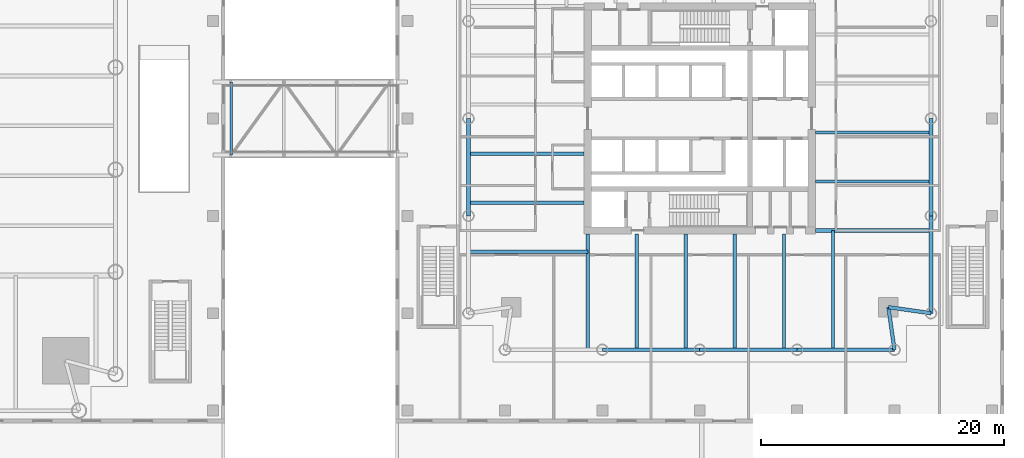
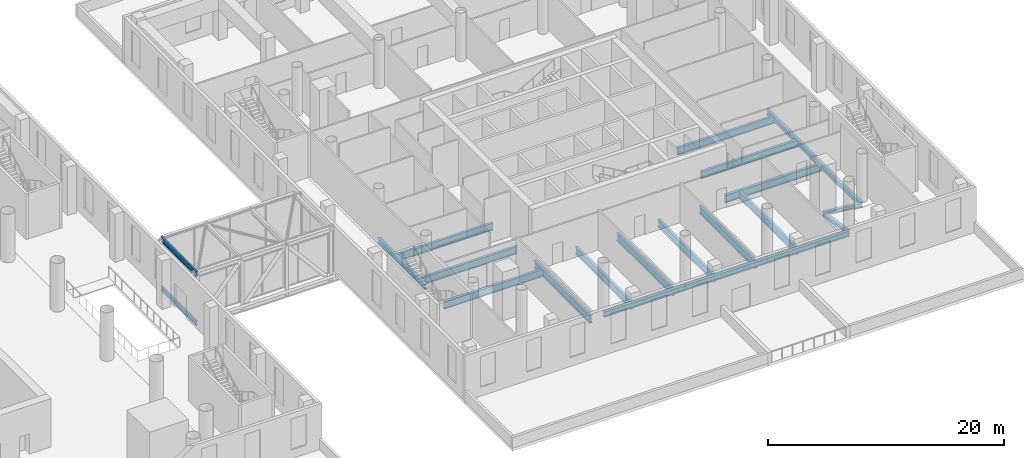
# One storey, part 5 of 23: 22 beams.
"""IFC4 building model written with IfcOpenShell, lengths in metres."""

from ifc_helpers import new_model, si_unit, direction, frame, origin, origin_2d, place, context, subcontext, project, spatial, i_section, extrude, material, material_profile, profile_set, type_object, element, save


model = new_model("IFC4")

# Units and contexts
model_context = context("Model", 3, precision=1e-05, world=origin(), true_north=direction((0.0, 1.0)))
body_context = subcontext(model_context, "Body", "Model", "MODEL_VIEW")
ifc_project = project(units=[si_unit("LENGTHUNIT", "METRE"), si_unit("AREAUNIT", "SQUARE_METRE"), si_unit("VOLUMEUNIT", "CUBIC_METRE"), si_unit("PLANEANGLEUNIT", "RADIAN"), si_unit("MASSUNIT", "GRAM", prefix="KILO")], contexts=[model_context])

# Site, building, storey
site_placement = place(None, origin())
site = spatial("IfcSite", under=ifc_project, at=site_placement, CompositionType="ELEMENT")
building_placement = place(site_placement, origin())
building = spatial("IfcBuilding", under=site, at=building_placement, Name="Ostroluk Exchange", CompositionType="ELEMENT")
storey_placement = place(building_placement, frame((0.0, 0.0, 11.0)))
storey = spatial("IfcBuildingStorey", under=building, at=storey_placement, Name="L02", CompositionType="ELEMENT", Elevation=11.0)

# Beams
ifc_material_1 = material(Name="Steel S355", Category="steel")
ifc_material_profile_1 = material_profile(ifc_material_1, i_section(OverallWidth=0.18994140625, OverallDepth=0.449951171875, WebThickness=0.009521484375, FlangeThickness=0.0146484375, FilletRadius=0.02099609375, at=origin_2d()), Name="IPE 450")
ifc_profile_set_1 = profile_set([ifc_material_profile_1], Name="Steel S355")
beam_type_1 = type_object("IfcBeamType", Name="Bridge cross beam IPE 450", PredefinedType="BEAM", material=ifc_profile_set_1)
beam_1_placement = place(storey_placement, frame((78.5, 43.0, -0.52490234375), z_axis=(0.0, 1.0, 0.0), x_axis=(-1.0, 0.0, 0.0)))
element("IfcBeam", 1, at=beam_1_placement, inside=storey, type_object=beam_type_1, Name="BR1 deck cross beam 1", PredefinedType="BEAM", context=body_context, shape_type="SweptSolid", body=[
    extrude(i_section(OverallWidth=0.18994140625, OverallDepth=0.449951171875, WebThickness=0.009521484375, FlangeThickness=0.0146484375, FilletRadius=0.02099609375, at=origin_2d()), origin(), (0.0, 0.0, 1.0), 6.0),
])
ifc_material_2 = material(Name="Steel S355", Category="steel")
ifc_material_profile_2 = material_profile(ifc_material_2, i_section(OverallWidth=0.199951171875, OverallDepth=0.5, WebThickness=0.01025390625, FlangeThickness=0.01611328125, FilletRadius=0.02099609375, at=origin_2d()), Name="IPE 500")
ifc_profile_set_2 = profile_set([ifc_material_profile_2], Name="Steel S355")
beam_type_2 = type_object("IfcBeamType", Name="Bridge cross beam IPE 500", PredefinedType="BEAM", material=ifc_profile_set_2)
beam_2_placement = place(storey_placement, frame((78.5, 43.0, 4.550048828125), z_axis=(0.0, 1.0, 0.0), x_axis=(-1.0, 0.0, 0.0)))
element("IfcBeam", 2, at=beam_2_placement, inside=storey, type_object=beam_type_2, Name="BR1 roof cross beam 1", PredefinedType="BEAM", context=body_context, shape_type="SweptSolid", body=[
    extrude(i_section(OverallWidth=0.199951171875, OverallDepth=0.5, WebThickness=0.01025390625, FlangeThickness=0.01611328125, FilletRadius=0.02099609375, at=origin_2d()), origin(), (0.0, 0.0, 1.0), 6.0),
])
ifc_material_3 = material(Name="Steel S355", Category="steel")
ifc_material_profile_3 = material_profile(ifc_material_3, i_section(OverallWidth=0.300048828125, OverallDepth=0.39990234375, WebThickness=0.013427734375, FlangeThickness=0.02392578125, FilletRadius=0.027099609375, at=origin_2d()), Name="HEB 400")
ifc_profile_set_3 = profile_set([ifc_material_profile_3], Name="Steel S355")
beam_type_3 = type_object("IfcBeamType", Name="Corner edge beam HEB 400", PredefinedType="SPANDREL", material=ifc_profile_set_3)
for number, where, z_axis, x_axis, name in (
    (3, (132.5, 30.5, -0.5), (0.141421356237, -0.989949493661, 0.0), (0.989949493661, 0.141421356237, 0.0), "T2 south corner edge beam a"),
    (4, (132.5, 30.5, -0.5), (0.989949493661, -0.141421356237, 0.0), (0.141421356237, 0.989949493661, 0.0), "T2 south corner edge beam b"),
):
    element("IfcBeam", number, at=place(storey_placement, frame(where, z_axis=z_axis, x_axis=x_axis)), inside=storey, type_object=beam_type_3, Name=name, PredefinedType="SPANDREL", context=body_context, shape_type="SweptSolid", body=[
        extrude(i_section(OverallWidth=0.300048828125, OverallDepth=0.39990234375, WebThickness=0.013427734375, FlangeThickness=0.02392578125, FilletRadius=0.027099609375, at=origin_2d()), origin(), (0.0, 0.0, 1.0), 3.53564453125),
    ])
ifc_material_4 = material(Name="Steel S355", Category="steel")
ifc_material_profile_4 = material_profile(ifc_material_4, i_section(OverallWidth=0.264892578125, OverallDepth=0.7529296875, WebThickness=0.01318359375, FlangeThickness=0.01708984375, FilletRadius=0.01708984375, at=origin_2d()), Name="IPE 750x147")
ifc_profile_set_4 = profile_set([ifc_material_profile_4], Name="Steel S355")
beam_type_4 = type_object("IfcBeamType", Name="Floor beam IPE 750x147", PredefinedType="BEAM", material=ifc_profile_set_4)
for number, where, z_axis, x_axis, name in (
    (5, (126.5, 40.82861328125, -0.676513671875), (1.0, 0.0, 0.0), (0.0, 1.0, 0.0), "T2 east floor beam 1"),
    (6, (126.5, 44.857177734375, -0.676513671875), (1.0, 0.0, 0.0), (0.0, 1.0, 0.0), "T2 east floor beam 2"),
    (7, (107.5, 43.1142578125, -0.676513671875), (-1.0, 0.0, 0.0), (0.0, -1.0, 0.0), "T2 west floor beam 3"),
    (8, (107.5, 39.085693359375, -0.676513671875), (-1.0, 0.0, 0.0), (0.0, -1.0, 0.0), "T2 west floor beam 4"),
):
    element("IfcBeam", number, at=place(storey_placement, frame(where, z_axis=z_axis, x_axis=x_axis)), inside=storey, type_object=beam_type_4, Name=name, PredefinedType="BEAM", context=body_context, shape_type="SweptSolid", body=[
        extrude(i_section(OverallWidth=0.264892578125, OverallDepth=0.7529296875, WebThickness=0.01318359375, FlangeThickness=0.01708984375, FilletRadius=0.01708984375, at=origin_2d()), origin(), (0.0, 0.0, 1.0), 9.5),
    ])
beam_3_placement = place(storey_placement, frame((107.800048828125, 35.05712890625, -0.676513671875), z_axis=(-1.0, 0.0, 0.0), x_axis=(0.0, -1.0, 0.0)))
element("IfcBeam", 9, at=beam_3_placement, inside=storey, type_object=beam_type_4, Name="T2 west floor beam 5", PredefinedType="BEAM", context=body_context, shape_type="SweptSolid", body=[
    extrude(i_section(OverallWidth=0.264892578125, OverallDepth=0.7529296875, WebThickness=0.01318359375, FlangeThickness=0.01708984375, FilletRadius=0.01708984375, at=origin_2d()), origin(), (0.0, 0.0, 1.0), 9.800048828125),
])
for number, where, z_axis, x_axis, name in (
    (10, (111.82861328125, 36.5, -0.676513671875), (0.0, -1.0, 0.0), (1.0, 0.0, 0.0), "T2 south floor beam 1"),
    (11, (115.857177734375, 36.5, -0.676513671875), (0.0, -1.0, 0.0), (1.0, 0.0, 0.0), "T2 south floor beam 2"),
    (12, (119.8857421875, 36.5, -0.676513671875), (0.0, -1.0, 0.0), (1.0, 0.0, 0.0), "T2 south floor beam 3"),
    (13, (123.914306640625, 36.5, -0.676513671875), (0.0, -1.0, 0.0), (1.0, 0.0, 0.0), "T2 south floor beam 4"),
):
    element("IfcBeam", number, at=place(storey_placement, frame(where, z_axis=z_axis, x_axis=x_axis)), inside=storey, type_object=beam_type_4, Name=name, PredefinedType="BEAM", context=body_context, shape_type="SweptSolid", body=[
        extrude(i_section(OverallWidth=0.264892578125, OverallDepth=0.7529296875, WebThickness=0.01318359375, FlangeThickness=0.01708984375, FilletRadius=0.01708984375, at=origin_2d()), origin(), (0.0, 0.0, 1.0), 9.5),
    ])
beam_4_placement = place(storey_placement, frame((127.94287109375, 36.800048828125, -0.676513671875), z_axis=(0.0, -1.0, 0.0), x_axis=(1.0, 0.0, 0.0)))
element("IfcBeam", 14, at=beam_4_placement, inside=storey, type_object=beam_type_4, Name="T2 south floor beam 5", PredefinedType="BEAM", context=body_context, shape_type="SweptSolid", body=[
    extrude(i_section(OverallWidth=0.264892578125, OverallDepth=0.7529296875, WebThickness=0.01318359375, FlangeThickness=0.01708984375, FilletRadius=0.01708984375, at=origin_2d()), origin(), (0.0, 0.0, 1.0), 9.800048828125),
])
ifc_material_5 = material(Name="Steel S355", Category="steel")
ifc_material_profile_5 = material_profile(ifc_material_5, i_section(OverallWidth=0.300048828125, OverallDepth=0.800048828125, WebThickness=0.017578125, FlangeThickness=0.032958984375, FilletRadius=0.030029296875, at=origin_2d()), Name="HEB 800")
ifc_profile_set_5 = profile_set([ifc_material_profile_5], Name="Steel S355")
beam_type_5 = type_object("IfcBeamType", Name="Girder HEB 800", PredefinedType="BEAM", material=ifc_profile_set_5)
for number, where, z_axis, x_axis, name in (
    (15, (107.800048828125, 36.5, -0.699951171875), (0.0, -1.0, 0.0), (1.0, 0.0, 0.0), "T2 west girder"),
    (16, (126.5, 36.800048828125, -0.699951171875), (1.0, 0.0, 0.0), (0.0, 1.0, 0.0), "T2 south girder"),
):
    element("IfcBeam", number, at=place(storey_placement, frame(where, z_axis=z_axis, x_axis=x_axis)), inside=storey, type_object=beam_type_5, Name=name, PredefinedType="BEAM", context=body_context, shape_type="SweptSolid", body=[
        extrude(i_section(OverallWidth=0.300048828125, OverallDepth=0.800048828125, WebThickness=0.017578125, FlangeThickness=0.032958984375, FilletRadius=0.030029296875, at=origin_2d()), origin(), (0.0, 0.0, 1.0), 9.5),
    ])
ifc_material_6 = material(Name="Steel S355", Category="steel")
ifc_material_profile_6 = material_profile(ifc_material_6, i_section(OverallWidth=0.300048828125, OverallDepth=0.550048828125, WebThickness=0.014892578125, FlangeThickness=0.029052734375, FilletRadius=0.027099609375, at=origin_2d()), Name="HEB 550")
ifc_profile_set_6 = profile_set([ifc_material_profile_6], Name="Steel S355")
beam_type_6 = type_object("IfcBeamType", Name="Moment-connected edge beam HEB 550", PredefinedType="SPANDREL", material=ifc_profile_set_6)
for number, where, z_axis, x_axis, name in (
    (17, (136.0, 30.0, -0.574951171875), (0.0, 1.0, 0.0), (-1.0, 0.0, 0.0), "T2 east edge beam 1"),
    (18, (136.0, 38.0, -0.574951171875), (0.0, 1.0, 0.0), (-1.0, 0.0, 0.0), "T2 east edge beam 2"),
    (19, (98.0, 46.0, -0.574951171875), (0.0, -1.0, 0.0), (1.0, 0.0, 0.0), "T2 west edge beam 3"),
    (20, (109.0, 27.0, -0.574951171875), (1.0, 0.0, 0.0), (0.0, 1.0, 0.0), "T2 south edge beam 2"),
    (21, (117.0, 27.0, -0.574951171875), (1.0, 0.0, 0.0), (0.0, 1.0, 0.0), "T2 south edge beam 3"),
    (22, (125.0, 27.0, -0.574951171875), (1.0, 0.0, 0.0), (0.0, 1.0, 0.0), "T2 south edge beam 4"),
):
    element("IfcBeam", number, at=place(storey_placement, frame(where, z_axis=z_axis, x_axis=x_axis)), inside=storey, type_object=beam_type_6, Name=name, PredefinedType="SPANDREL", context=body_context, shape_type="SweptSolid", body=[
        extrude(i_section(OverallWidth=0.300048828125, OverallDepth=0.550048828125, WebThickness=0.014892578125, FlangeThickness=0.029052734375, FilletRadius=0.027099609375, at=origin_2d()), origin(), (0.0, 0.0, 1.0), 8.0),
    ])

save(model, "model.ifc")
